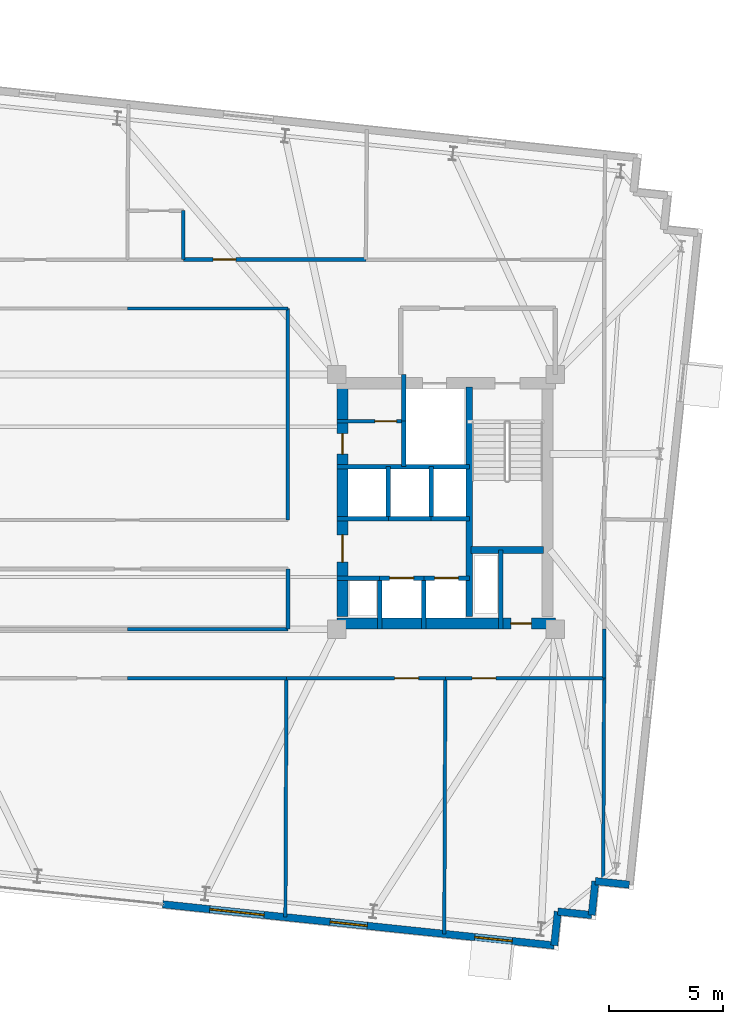
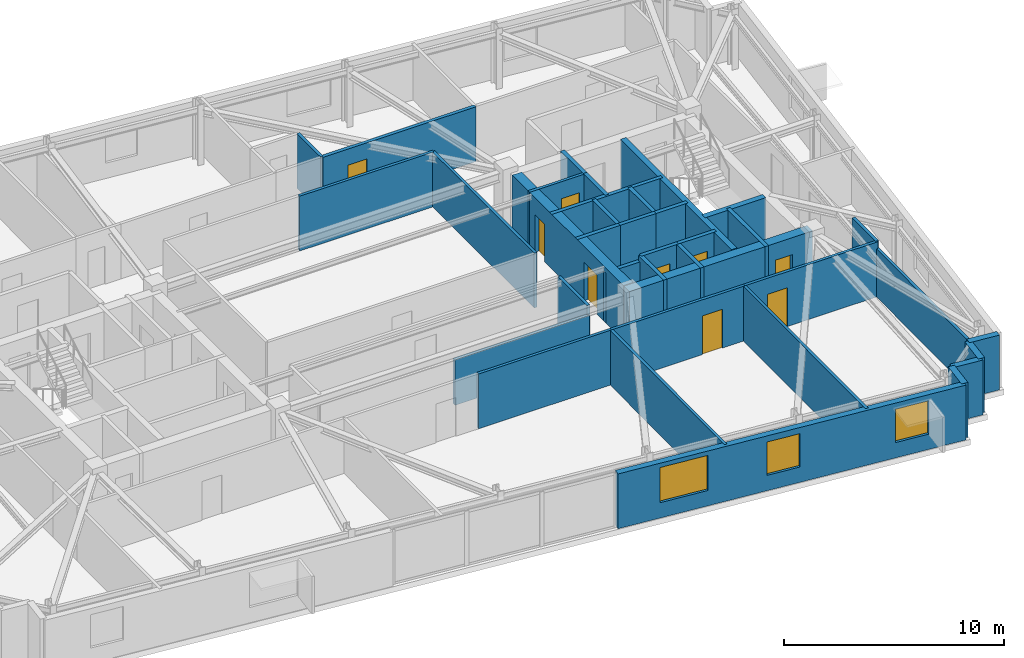
# One storey, part 9 of 13: 37 walls, 9 doors, 3 windows, 12 openings.
"""IFC4 building model written with IfcOpenShell, lengths in metres."""

from ifc_helpers import new_model, si_unit, direction, frame, frame_2d, origin, place, context, subcontext, project, spatial, rectangle, extrude, material, layer, layer_set, type_object, element, fill, save


model = new_model("IFC4")

# Units and contexts
model_context = context("Model", 3, precision=1e-05, world=origin(), true_north=direction((0.0, 1.0)))
body_context = subcontext(model_context, "Body", "Model", "MODEL_VIEW")
ifc_project = project(units=[si_unit("LENGTHUNIT", "METRE"), si_unit("AREAUNIT", "SQUARE_METRE"), si_unit("VOLUMEUNIT", "CUBIC_METRE"), si_unit("PLANEANGLEUNIT", "RADIAN"), si_unit("MASSUNIT", "GRAM", prefix="KILO")], contexts=[model_context])

# Site, building, storey
site_placement = place(None, origin())
site = spatial("IfcSite", under=ifc_project, at=site_placement, CompositionType="ELEMENT")
building_placement = place(site_placement, origin())
building = spatial("IfcBuilding", under=site, at=building_placement, Name="Qobustan Lattice House", CompositionType="ELEMENT")
storey_placement = place(building_placement, frame((0.0, 0.0, 196.39990234375)))
storey = spatial("IfcBuildingStorey", under=building, at=storey_placement, Name="L55", CompositionType="ELEMENT", Elevation=196.39990234375)

# Wall, opening, door
ifc_material_1 = material(Name="Concrete C50/60", Category="concrete")
ifc_layer_1 = layer(ifc_material_1, 0.5)
ifc_layer_set_1 = layer_set([ifc_layer_1], Name="Concrete C50/60")
wall_type_1 = type_object("IfcWallType", Name="WAL-CORE-500", PredefinedType="SHEAR", material=ifc_layer_set_1)
wall_1_placement = place(storey_placement, frame((9.199951171875, -5.35009765625, 0.0), z_axis=(0.0, 0.0, 1.0), x_axis=(1.0, 0.0, 0.0)))
wall_1 = element("IfcWall", 1, at=wall_1_placement, inside=storey, type_object=wall_type_1, Name="L55 split-core shear wall CE-S", PredefinedType="SHEAR", context=body_context, shape_type="SweptSolid", body=[
    extrude(rectangle(XDim=9.60009765625, YDim=0.5, at=frame_2d((4.800048828125, 0.0))), origin(), (0.0, 0.0, 1.0), 3.0400390625),
])
opening_1_placement = place(wall_1_placement, frame((7.64990234375, 0.0, 0.0)))
opening_1 = element("IfcOpeningElement", 2, at=opening_1_placement, cuts=wall_1, Name="Opening RD-01", PredefinedType="OPENING", context=body_context, shape_type="SweptSolid", body=[
    extrude(rectangle(XDim=0.89990234375, YDim=2.10009765625, at=frame_2d((0.449951171875, 1.050048828125))), frame((0.0, 0.260009765625, 0.0), z_axis=(0.0, -1.0, 0.0), x_axis=(1.0, 0.0, 0.0)), (0.0, 0.0, 1.0), 0.52001953125),
])
ifc_material_2 = material(Name="Persian walnut timber and steel frame door", Category="steel")
door_type_1 = type_object("IfcDoorType", Name="DOR-RISER-FD-900x2100", OperationType="NOTDEFINED", PredefinedType="DOOR", material=ifc_material_2)
door_1_placement = place(opening_1_placement, origin())
door_1 = element("IfcDoor", 3, at=door_1_placement, inside=storey, type_object=door_type_1, Name="L55 core service riser access door E", OperationType="SINGLE_SWING_RIGHT", OverallHeight=2.10009765625, OverallWidth=0.89990234375, PredefinedType="DOOR", context=body_context, shape_type="SweptSolid", body=[
    extrude(rectangle(XDim=0.89990234375, YDim=2.10009765625, at=frame_2d((0.449951171875, 1.050048828125))), frame((0.0, 0.02490234375, 0.0), z_axis=(0.0, -1.0, 0.0), x_axis=(1.0, 0.0, 0.0)), (0.0, 0.0, 1.0), 0.050048828125),
])
fill(opening_1, door_1)

# Wall, openings, doors
wall_2_placement = place(storey_placement, frame((9.449951171875, -5.050048828125, 0.0), z_axis=(0.0, 0.0, 1.0), x_axis=(0.0, 1.0, 0.0)))
wall_2 = element("IfcWall", 4, at=wall_2_placement, inside=storey, type_object=wall_type_1, Name="L55 split-core shear wall CE-W", PredefinedType="SHEAR", context=body_context, shape_type="SweptSolid", body=[
    extrude(rectangle(XDim=10.10009765625, YDim=0.5, at=frame_2d((5.050048828125, 0.0))), origin(), (0.0, 0.0, 1.0), 3.0400390625),
])
opening_2_placement = place(wall_2_placement, frame((7.14990234375, 0.0, 0.0)))
opening_2 = element("IfcOpeningElement", 5, at=opening_2_placement, cuts=wall_2, Name="Opening RD-01", PredefinedType="OPENING", context=body_context, shape_type="SweptSolid", body=[
    extrude(rectangle(XDim=0.89990234375, YDim=2.10009765625, at=frame_2d((0.449951171875, 1.050048828125))), frame((0.0, 0.260009765625, 0.0), z_axis=(0.0, -1.0, 0.0), x_axis=(1.0, 0.0, 0.0)), (0.0, 0.0, 1.0), 0.52001953125),
])
opening_3_placement = place(wall_2_placement, frame((2.39990234375, 0.0, 0.0)))
opening_3 = element("IfcOpeningElement", 6, at=opening_3_placement, cuts=wall_2, Name="Opening FD-01", PredefinedType="OPENING", context=body_context, shape_type="SweptSolid", body=[
    extrude(rectangle(XDim=1.199951171875, YDim=2.14990234375, at=frame_2d((0.60009765625, 1.074951171875))), frame((0.0, 0.260009765625, 0.0), z_axis=(0.0, -1.0, 0.0), x_axis=(1.0, 0.0, 0.0)), (0.0, 0.0, 1.0), 0.52001953125),
])
ifc_material_3 = material(Name="Persian walnut timber and steel frame door", Category="steel")
door_type_2 = type_object("IfcDoorType", Name="DOR-LOBBY-FD-1200x2150", OperationType="NOTDEFINED", PredefinedType="DOOR", material=ifc_material_3)
door_2_placement = place(opening_3_placement, origin())
door_2 = element("IfcDoor", 7, at=door_2_placement, inside=storey, type_object=door_type_2, Name="L55 East passenger lift lobby fire door", OperationType="SINGLE_SWING_RIGHT", OverallHeight=2.14990234375, OverallWidth=1.199951171875, PredefinedType="DOOR", context=body_context, shape_type="SweptSolid", body=[
    extrude(rectangle(XDim=1.199951171875, YDim=2.14990234375, at=frame_2d((0.60009765625, 1.074951171875))), frame((0.0, 0.02490234375, 0.0), z_axis=(0.0, -1.0, 0.0), x_axis=(1.0, 0.0, 0.0)), (0.0, 0.0, 1.0), 0.050048828125),
])
fill(opening_3, door_2)
door_3_placement = place(opening_2_placement, origin())
door_3 = element("IfcDoor", 8, at=door_3_placement, inside=storey, type_object=door_type_1, Name="L55 Housekeeping utility foyer fire door", OperationType="SINGLE_SWING_LEFT", OverallHeight=2.10009765625, OverallWidth=0.89990234375, PredefinedType="DOOR", context=body_context, shape_type="SweptSolid", body=[
    extrude(rectangle(XDim=0.89990234375, YDim=2.10009765625, at=frame_2d((0.449951171875, 1.050048828125))), frame((0.0, 0.02490234375, 0.0), z_axis=(0.0, -1.0, 0.0), x_axis=(1.0, 0.0, 0.0)), (0.0, 0.0, 1.0), 0.050048828125),
])
fill(opening_2, door_3)

# Walls
ifc_material_4 = material(Name="Concrete C50/60", Category="concrete")
ifc_layer_2 = layer(ifc_material_4, 0.280029296875)
ifc_layer_set_2 = layer_set([ifc_layer_2], Name="Concrete C50/60")
wall_type_2 = type_object("IfcWallType", Name="WAL-CORE-SPINE-280", PredefinedType="SHEAR", material=ifc_layer_set_2)
wall_3_placement = place(storey_placement, frame((15.02001953125, -5.050048828125, 0.0), z_axis=(0.0, 0.0, 1.0), x_axis=(0.0, 1.0, 0.0)))
element("IfcWall", 9, at=wall_3_placement, inside=storey, type_object=wall_type_2, Name="L55 split-core shear wall CE-M", PredefinedType="SHEAR", context=body_context, shape_type="SweptSolid", body=[
    extrude(rectangle(XDim=10.10009765625, YDim=0.300048828125, at=frame_2d((5.050048828125, 0.0))), origin(), (0.0, 0.0, 1.0), 3.0400390625),
])
wall_4_placement = place(storey_placement, frame((15.10009765625, -2.110107421875, 0.0), z_axis=(0.0, 0.0, 1.0), x_axis=(1.0, 0.0, 0.0)))
element("IfcWall", 10, at=wall_4_placement, inside=storey, type_object=wall_type_2, Name="L55 split-core shear wall CE-ST", PredefinedType="SHEAR", context=body_context, shape_type="SweptSolid", body=[
    extrude(rectangle(XDim=3.179931640625, YDim=0.300048828125, at=frame_2d((1.58984375, 0.0))), origin(), (0.0, 0.0, 1.0), 3.0400390625),
])
ifc_material_5 = material(Name="Precast concrete C40/50", Category="concrete")
ifc_layer_3 = layer(ifc_material_5, 0.320068359375)
ifc_layer_set_3 = layer_set([ifc_layer_3], Name="Precast concrete C40/50")
wall_type_3 = type_object("IfcWallType", Name="WAL-EXT-STONE-320", PredefinedType="SOLIDWALL", material=ifc_layer_set_3)
wall_5_placement = place(storey_placement, frame((22.052978515625, -16.828369140625, 0.0), z_axis=(0.0, 0.0, 1.0), x_axis=(-0.994526834051, 0.104481464157, 0.0)))
element("IfcWall", 11, at=wall_5_placement, inside=storey, type_object=wall_type_3, Name="L55 exterior limestone-clad wall 16", PredefinedType="SOLIDWALL", context=body_context, shape_type="SweptSolid", body=[
    extrude(rectangle(XDim=1.500244140625, YDim=0.320068359375, at=frame_2d((0.75, 0.0))), origin(), (0.0, 0.0, 1.0), 3.0400390625),
])
for number, where, z_axis, x_axis, name in (
    (12, (20.56103515625, -16.671630859375, 0.0), (0.0, 0.0, 1.0), (-0.104498377516, -0.994525057048, 0.0), "L55 exterior limestone-clad wall 17"),
    (13, (20.404296875, -18.163330078125, 0.0), (0.0, 0.0, 1.0), (-0.994525057048, 0.104498377516, 0.0), "L55 exterior limestone-clad wall 18"),
    (14, (18.91259765625, -18.006591796875, 0.0), (0.0, 0.0, 1.0), (-0.104498377516, -0.994525057048, 0.0), "L55 exterior limestone-clad wall 19"),
):
    element("IfcWall", number, at=place(storey_placement, frame(where, z_axis=z_axis, x_axis=x_axis)), inside=storey, type_object=wall_type_3, Name=name, PredefinedType="SOLIDWALL", context=body_context, shape_type="SweptSolid", body=[
        extrude(rectangle(XDim=1.5, YDim=0.320068359375, at=frame_2d((0.75, 0.0))), origin(), (0.0, 0.0, 1.0), 3.0400390625),
    ])

# Wall, openings, windows
wall_6_placement = place(storey_placement, frame((18.755859375, -19.498291015625, 0.0), z_axis=(0.0, 0.0, 1.0), x_axis=(-0.994523378108, 0.104514354977, 0.0)))
wall_6 = element("IfcWall", 15, at=wall_6_placement, inside=storey, type_object=wall_type_3, Name="L55 iwan flank stone wall A", PredefinedType="SOLIDWALL", context=body_context, shape_type="SweptSolid", body=[
    extrude(rectangle(XDim=17.300048828125, YDim=0.320068359375, at=frame_2d((8.64990234375, 0.0))), origin(), (0.0, 0.0, 1.0), 3.0400390625),
])
opening_4_placement = place(wall_6_placement, frame((1.858154296875, 0.0, 0.85009765625)))
opening_4 = element("IfcOpeningElement", 16, at=opening_4_placement, cuts=wall_6, Name="Opening WN-09", PredefinedType="OPENING", context=body_context, shape_type="SweptSolid", body=[
    extrude(rectangle(XDim=1.64990234375, YDim=1.85009765625, at=frame_2d((0.824951171875, 0.925048828125))), frame((0.0, 0.169921875, 0.0), z_axis=(0.0, -1.0, 0.0), x_axis=(1.0, 0.0, 0.0)), (0.0, 0.0, 1.0), 0.340087890625),
])
opening_5_placement = place(wall_6_placement, frame((8.259521484375, 0.0, 0.85009765625)))
opening_5 = element("IfcOpeningElement", 17, at=opening_5_placement, cuts=wall_6, Name="Opening WN-09", PredefinedType="OPENING", context=body_context, shape_type="SweptSolid", body=[
    extrude(rectangle(XDim=1.64990234375, YDim=1.85009765625, at=frame_2d((0.824951171875, 0.925048828125))), frame((0.0, 0.169921875, 0.0), z_axis=(0.0, -1.0, 0.0), x_axis=(1.0, 0.0, 0.0)), (0.0, 0.0, 1.0), 0.340087890625),
])
opening_6_placement = place(wall_6_placement, frame((12.825439453125, 0.0, 0.85009765625)))
opening_6 = element("IfcOpeningElement", 18, at=opening_6_placement, cuts=wall_6, Name="Opening WN-10", PredefinedType="OPENING", context=body_context, shape_type="SweptSolid", body=[
    extrude(rectangle(XDim=2.39990234375, YDim=1.949951171875, at=frame_2d((1.199951171875, 0.97509765625))), frame((0.0, 0.169921875, 0.0), z_axis=(0.0, -1.0, 0.0), x_axis=(1.0, 0.0, 0.0)), (0.0, 0.0, 1.0), 0.340087890625),
])
ifc_material_6 = material(Name="Double-glazed low-E aluminium window", Category="aluminium")
window_type_1 = type_object("IfcWindowType", Name="WIN-LNG-2400x1950", PartitioningType="SINGLE_PANEL", PredefinedType="WINDOW", material=ifc_material_6)
window_1_placement = place(opening_6_placement, origin())
window_1 = element("IfcWindow", 19, at=window_1_placement, inside=storey, type_object=window_type_1, Name="L55 Walnut iwan sky lounge S2 window", OverallHeight=1.949951171875, OverallWidth=2.39990234375, PartitioningType="SINGLE_PANEL", PredefinedType="WINDOW", context=body_context, shape_type="SweptSolid", body=[
    extrude(rectangle(XDim=2.39990234375, YDim=1.949951171875, at=frame_2d((1.199951171875, 0.97509765625))), frame((0.0, 0.030029296875, 0.0), z_axis=(0.0, -1.0, 0.0), x_axis=(1.0, 0.0, 0.0)), (0.0, 0.0, 1.0), 0.06005859375),
])
fill(opening_6, window_1)
ifc_material_7 = material(Name="Double-glazed low-E aluminium window", Category="aluminium")
window_type_2 = type_object("IfcWindowType", Name="WIN-STU-1650x1850", PartitioningType="SINGLE_PANEL", PredefinedType="WINDOW", material=ifc_material_7)
window_2_placement = place(opening_4_placement, origin())
window_2 = element("IfcWindow", 20, at=window_2_placement, inside=storey, type_object=window_type_2, Name="L55 Academic seminar room window", OverallHeight=1.85009765625, OverallWidth=1.64990234375, PartitioningType="SINGLE_PANEL", PredefinedType="WINDOW", context=body_context, shape_type="SweptSolid", body=[
    extrude(rectangle(XDim=1.64990234375, YDim=1.85009765625, at=frame_2d((0.824951171875, 0.925048828125))), frame((0.0, 0.030029296875, 0.0), z_axis=(0.0, -1.0, 0.0), x_axis=(1.0, 0.0, 0.0)), (0.0, 0.0, 1.0), 0.06005859375),
])
fill(opening_4, window_2)
window_3_placement = place(opening_5_placement, origin())
window_3 = element("IfcWindow", 21, at=window_3_placement, inside=storey, type_object=window_type_2, Name="L55 Group study room window", OverallHeight=1.85009765625, OverallWidth=1.64990234375, PartitioningType="SINGLE_PANEL", PredefinedType="WINDOW", context=body_context, shape_type="SweptSolid", body=[
    extrude(rectangle(XDim=1.64990234375, YDim=1.85009765625, at=frame_2d((0.824951171875, 0.925048828125))), frame((0.0, 0.030029296875, 0.0), z_axis=(0.0, -1.0, 0.0), x_axis=(1.0, 0.0, 0.0)), (0.0, 0.0, 1.0), 0.06005859375),
])
fill(opening_5, window_3)

# Wall, opening, door
ifc_material_8 = material(Name="Gypsum fireboard acoustic partition", Category="gypsum")
ifc_layer_4 = layer(ifc_material_8, 0.179931640625)
ifc_layer_set_4 = layer_set([ifc_layer_4], Name="Gypsum fireboard acoustic partition")
wall_type_4 = type_object("IfcWallType", Name="WAL-FIRE-180", PredefinedType="PARTITIONING", material=ifc_layer_set_4)
wall_7_placement = place(storey_placement, frame((2.449951171875, 10.64990234375, 0.0), z_axis=(0.0, 0.0, 1.0), x_axis=(1.0, 0.0, 0.0)))
wall_7 = element("IfcWall", 22, at=wall_7_placement, inside=storey, type_object=wall_type_4, Name="L55 interior partition 41", PredefinedType="PARTITIONING", context=body_context, shape_type="SweptSolid", body=[
    extrude(rectangle(XDim=8.025146484375, YDim=0.179931640625, at=frame_2d((4.0126953125, 0.0))), origin(), (0.0, 0.0, 1.0), 3.0400390625),
])
opening_7_placement = place(wall_7_placement, frame((1.31298828125, 0.0, 0.0)))
opening_7 = element("IfcOpeningElement", 23, at=opening_7_placement, cuts=wall_7, Name="Opening FD-02", PredefinedType="OPENING", context=body_context, shape_type="SweptSolid", body=[
    extrude(rectangle(XDim=1.0, YDim=2.14990234375, at=frame_2d((0.5, 1.074951171875))), frame((0.0, 0.099853515625, 0.0), z_axis=(0.0, -1.0, 0.0), x_axis=(1.0, 0.0, 0.0)), (0.0, 0.0, 1.0), 0.199951171875),
])
ifc_material_9 = material(Name="Persian walnut timber and steel frame door", Category="steel")
door_type_3 = type_object("IfcDoorType", Name="DOR-UNIT-FD-1000x2150", OperationType="NOTDEFINED", PredefinedType="DOOR", material=ifc_material_9)
door_4_placement = place(opening_7_placement, origin())
door_4 = element("IfcDoor", 24, at=door_4_placement, inside=storey, type_object=door_type_3, Name="L55 North-east floor corridor to Kitchenette and studio apartment L55-N3 door", OperationType="SINGLE_SWING_LEFT", OverallHeight=2.14990234375, OverallWidth=1.0, PredefinedType="DOOR", context=body_context, shape_type="SweptSolid", body=[
    extrude(rectangle(XDim=1.0, YDim=2.14990234375, at=frame_2d((0.5, 1.074951171875))), frame((0.0, 0.02490234375, 0.0), z_axis=(0.0, -1.0, 0.0), x_axis=(1.0, 0.0, 0.0)), (0.0, 0.0, 1.0), 0.050048828125),
])
fill(opening_7, door_4)

ifc_material_10 = material(Name="Acoustic twin-stud gypsum partition", Category="gypsum")
ifc_layer_5 = layer(ifc_material_10, 0.14990234375)
ifc_layer_set_5 = layer_set([ifc_layer_5], Name="Acoustic twin-stud gypsum partition")
wall_type_5 = type_object("IfcWallType", Name="WAL-PART-150", PredefinedType="PARTITIONING", material=ifc_layer_set_5)
wall_8_placement = place(storey_placement, frame((12.14990234375, 3.550048828125, 0.0), z_axis=(0.0, 0.0, 1.0), x_axis=(-1.0, 0.0, 0.0)))
wall_8 = element("IfcWall", 25, at=wall_8_placement, inside=storey, type_object=wall_type_5, Name="L55 interior partition 21", PredefinedType="PARTITIONING", context=body_context, shape_type="SweptSolid", body=[
    extrude(rectangle(XDim=2.949951171875, YDim=0.14990234375, at=frame_2d((1.47509765625, 0.0))), origin(), (0.0, 0.0, 1.0), 3.0400390625),
])
opening_8_placement = place(wall_8_placement, frame((0.324951171875, 0.0, 0.0)))
opening_8 = element("IfcOpeningElement", 26, at=opening_8_placement, cuts=wall_8, Name="Opening ID-01", PredefinedType="OPENING", context=body_context, shape_type="SweptSolid", body=[
    extrude(rectangle(XDim=0.949951171875, YDim=2.10009765625, at=frame_2d((0.47509765625, 1.050048828125))), frame((0.0, 0.0849609375, 0.0), z_axis=(0.0, -1.0, 0.0), x_axis=(1.0, 0.0, 0.0)), (0.0, 0.0, 1.0), 0.169921875),
])
ifc_material_11 = material(Name="Persian walnut timber and steel frame door", Category="steel")
door_type_4 = type_object("IfcDoorType", Name="DOR-ROOM-950x2100", OperationType="NOTDEFINED", PredefinedType="DOOR", material=ifc_material_11)
door_5_placement = place(opening_8_placement, origin())
door_5 = element("IfcDoor", 27, at=door_5_placement, inside=storey, type_object=door_type_4, Name="L55 Housekeeping utility foyer to Cleaner cupboard door", OperationType="SINGLE_SWING_RIGHT", OverallHeight=2.10009765625, OverallWidth=0.949951171875, PredefinedType="DOOR", context=body_context, shape_type="SweptSolid", body=[
    extrude(rectangle(XDim=0.949951171875, YDim=2.10009765625, at=frame_2d((0.47509765625, 1.050048828125))), frame((0.0, 0.02490234375, 0.0), z_axis=(0.0, -1.0, 0.0), x_axis=(1.0, 0.0, 0.0)), (0.0, 0.0, 1.0), 0.050048828125),
])
fill(opening_8, door_5)

# Walls
wall_9_placement = place(storey_placement, frame((7.050048828125, 8.5, 0.0), z_axis=(0.0, 0.0, 1.0), x_axis=(-1.0, 0.0, 0.0)))
element("IfcWall", 28, at=wall_9_placement, inside=storey, type_object=wall_type_5, Name="L55 interior partition 44", PredefinedType="PARTITIONING", context=body_context, shape_type="SweptSolid", body=[
    extrude(rectangle(XDim=7.050048828125, YDim=0.14990234375, at=frame_2d((3.52490234375, 0.0))), origin(), (0.0, 0.0, 1.0), 3.0400390625),
])
wall_10_placement = place(storey_placement, frame((20.949951171875, -5.60009765625, 0.0), z_axis=(0.0, 0.0, 1.0), x_axis=(0.0, -1.0, 0.0)))
element("IfcWall", 29, at=wall_10_placement, inside=storey, type_object=wall_type_5, Name="L55 interior partition 49", PredefinedType="PARTITIONING", context=body_context, shape_type="SweptSolid", body=[
    extrude(rectangle(XDim=2.14990234375, YDim=0.14990234375, at=frame_2d((1.074951171875, 0.0))), origin(), (0.0, 0.0, 1.0), 3.0400390625),
])
wall_11_placement = place(storey_placement, frame((6.98291015625, -7.75, 0.0), z_axis=(0.0, 0.0, 1.0), x_axis=(-1.0, 0.0, 0.0)))
element("IfcWall", 30, at=wall_11_placement, inside=storey, type_object=wall_type_5, Name="L55 interior partition 50", PredefinedType="PARTITIONING", context=body_context, shape_type="SweptSolid", body=[
    extrude(rectangle(XDim=6.98291015625, YDim=0.14990234375, at=frame_2d((3.491455078125, 0.0))), origin(), (0.0, 0.0, 1.0), 3.0400390625),
])

# Wall, opening, door
wall_12_placement = place(storey_placement, frame((13.966552734375, -7.75, 0.0), z_axis=(0.0, 0.0, 1.0), x_axis=(-1.0, 0.0, 0.0)))
wall_12 = element("IfcWall", 31, at=wall_12_placement, inside=storey, type_object=wall_type_5, Name="L55 interior partition 51", PredefinedType="PARTITIONING", context=body_context, shape_type="SweptSolid", body=[
    extrude(rectangle(XDim=6.983642578125, YDim=0.14990234375, at=frame_2d((3.49169921875, 0.0))), origin(), (0.0, 0.0, 1.0), 3.0400390625),
])
opening_9_placement = place(wall_12_placement, frame((1.1767578125, 0.0, 0.0)))
opening_9 = element("IfcOpeningElement", 32, at=opening_9_placement, cuts=wall_12, Name="Opening ID-02", PredefinedType="OPENING", context=body_context, shape_type="SweptSolid", body=[
    extrude(rectangle(XDim=1.050048828125, YDim=2.14990234375, at=frame_2d((0.52490234375, 1.074951171875))), frame((0.0, 0.0849609375, 0.0), z_axis=(0.0, -1.0, 0.0), x_axis=(1.0, 0.0, 0.0)), (0.0, 0.0, 1.0), 0.169921875),
])
ifc_material_12 = material(Name="Persian walnut timber and steel frame door", Category="steel")
door_type_5 = type_object("IfcDoorType", Name="DOR-STUDY-1050x2150", OperationType="NOTDEFINED", PredefinedType="DOOR", material=ifc_material_12)
door_6_placement = place(opening_9_placement, origin())
door_6 = element("IfcDoor", 33, at=door_6_placement, inside=storey, type_object=door_type_5, Name="L55 South-east floor corridor to Group study room door", OperationType="SINGLE_SWING_LEFT", OverallHeight=2.14990234375, OverallWidth=1.050048828125, PredefinedType="DOOR", context=body_context, shape_type="SweptSolid", body=[
    extrude(rectangle(XDim=1.050048828125, YDim=2.14990234375, at=frame_2d((0.52490234375, 1.074951171875))), frame((0.0, 0.02490234375, 0.0), z_axis=(0.0, -1.0, 0.0), x_axis=(1.0, 0.0, 0.0)), (0.0, 0.0, 1.0), 0.050048828125),
])
fill(opening_9, door_6)

wall_13_placement = place(storey_placement, frame((20.949951171875, -7.75, 0.0), z_axis=(0.0, 0.0, 1.0), x_axis=(-1.0, 0.0, 0.0)))
wall_13 = element("IfcWall", 34, at=wall_13_placement, inside=storey, type_object=wall_type_5, Name="L55 interior partition 52", PredefinedType="PARTITIONING", context=body_context, shape_type="SweptSolid", body=[
    extrude(rectangle(XDim=6.9833984375, YDim=0.14990234375, at=frame_2d((3.49169921875, 0.0))), origin(), (0.0, 0.0, 1.0), 3.0400390625),
])
opening_10_placement = place(wall_13_placement, frame((4.7568359375, 0.0, 0.0)))
opening_10 = element("IfcOpeningElement", 35, at=opening_10_placement, cuts=wall_13, Name="Opening ID-02", PredefinedType="OPENING", context=body_context, shape_type="SweptSolid", body=[
    extrude(rectangle(XDim=1.050048828125, YDim=2.14990234375, at=frame_2d((0.52490234375, 1.074951171875))), frame((0.0, 0.0849609375, 0.0), z_axis=(0.0, -1.0, 0.0), x_axis=(1.0, 0.0, 0.0)), (0.0, 0.0, 1.0), 0.169921875),
])
door_7_placement = place(opening_10_placement, origin())
door_7 = element("IfcDoor", 36, at=door_7_placement, inside=storey, type_object=door_type_5, Name="L55 South-east floor corridor to Academic seminar room door", OperationType="SINGLE_SWING_RIGHT", OverallHeight=2.14990234375, OverallWidth=1.050048828125, PredefinedType="DOOR", context=body_context, shape_type="SweptSolid", body=[
    extrude(rectangle(XDim=1.050048828125, YDim=2.14990234375, at=frame_2d((0.52490234375, 1.074951171875))), frame((0.0, 0.02490234375, 0.0), z_axis=(0.0, -1.0, 0.0), x_axis=(1.0, 0.0, 0.0)), (0.0, 0.0, 1.0), 0.050048828125),
])
fill(opening_10, door_7)

# Walls
wall_14_placement = place(storey_placement, frame((7.050048828125, -0.800048828125, 0.0), z_axis=(0.0, 0.0, 1.0), x_axis=(0.0, 1.0, 0.0)))
element("IfcWall", 37, at=wall_14_placement, inside=storey, type_object=wall_type_5, Name="L55 interior partition 62", PredefinedType="PARTITIONING", context=body_context, shape_type="SweptSolid", body=[
    extrude(rectangle(XDim=9.300048828125, YDim=0.14990234375, at=frame_2d((4.64990234375, 0.0))), origin(), (0.0, 0.0, 1.0), 3.0400390625),
])
wall_15_placement = place(storey_placement, frame((20.906005859375, -16.7080078125, 0.0), z_axis=(0.0, 0.0, 1.0), x_axis=(0.004905642486, 0.999987967264, 0.0)))
element("IfcWall", 38, at=wall_15_placement, inside=storey, type_object=wall_type_5, Name="L55 interior partition 68", PredefinedType="PARTITIONING", context=body_context, shape_type="SweptSolid", body=[
    extrude(rectangle(XDim=8.9580078125, YDim=0.14990234375, at=frame_2d((4.47900390625, 0.0))), origin(), (0.0, 0.0, 1.0), 2.6650390625),
])
wall_16_placement = place(storey_placement, frame((6.98291015625, -7.75, 0.0), z_axis=(0.0, 0.0, 1.0), x_axis=(-0.004159465807, -0.999991349385, 0.0)))
element("IfcWall", 39, at=wall_16_placement, inside=storey, type_object=wall_type_5, Name="L55 interior partition 79", PredefinedType="PARTITIONING", context=body_context, shape_type="SweptSolid", body=[
    extrude(rectangle(XDim=10.50634765625, YDim=0.14990234375, at=frame_2d((5.253173828125, 0.0))), origin(), (0.0, 0.0, 1.0), 3.0400390625),
])
wall_17_placement = place(storey_placement, frame((13.966552734375, -7.75, 0.0), z_axis=(0.0, 0.0, 1.0), x_axis=(-0.003909528994, -0.999992357762, 0.0)))
element("IfcWall", 40, at=wall_17_placement, inside=storey, type_object=wall_type_5, Name="L55 interior partition 80", PredefinedType="PARTITIONING", context=body_context, shape_type="SweptSolid", body=[
    extrude(rectangle(XDim=11.240478515625, YDim=0.14990234375, at=frame_2d((5.6201171875, 0.0))), origin(), (0.0, 0.0, 1.0), 3.0400390625),
])
ifc_material_13 = material(Name="High-mass acoustic twin-stud partition", Category="gypsum")
ifc_layer_6 = layer(ifc_material_13, 0.1650390625)
ifc_layer_set_6 = layer_set([ifc_layer_6], Name="High-mass acoustic twin-stud partition")
wall_type_6 = type_object("IfcWallType", Name="WAL-PART-165", PredefinedType="PARTITIONING", material=ifc_layer_set_6)
wall_18_placement = place(storey_placement, frame((0.0, -5.60009765625, 0.0), z_axis=(0.0, 0.0, 1.0), x_axis=(1.0, 0.0, 0.0)))
element("IfcWall", 41, at=wall_18_placement, inside=storey, type_object=wall_type_6, Name="L55 interior partition 53", PredefinedType="PARTITIONING", context=body_context, shape_type="SweptSolid", body=[
    extrude(rectangle(XDim=7.050048828125, YDim=0.1650390625, at=frame_2d((3.52490234375, 0.0))), origin(), (0.0, 0.0, 1.0), 2.525146484375),
])
wall_19_placement = place(storey_placement, frame((7.050048828125, -5.60009765625, 0.0), z_axis=(0.0, 0.0, 1.0), x_axis=(0.0, 1.0, 0.0)))
element("IfcWall", 42, at=wall_19_placement, inside=storey, type_object=wall_type_6, Name="L55 interior partition 63", PredefinedType="PARTITIONING", context=body_context, shape_type="SweptSolid", body=[
    extrude(rectangle(XDim=2.650146484375, YDim=0.1650390625, at=frame_2d((1.3251953125, 0.0))), origin(), (0.0, 0.0, 1.0), 3.0400390625),
])
ifc_material_14 = material(Name="Concrete C40/50", Category="concrete")
ifc_layer_7 = layer(ifc_material_14, 0.199951171875)
ifc_layer_set_7 = layer_set([ifc_layer_7], Name="Concrete C40/50")
wall_type_7 = type_object("IfcWallType", Name="WAL-SHAFT-200", PredefinedType="PARTITIONING", material=ifc_layer_set_7)
wall_20_placement = place(storey_placement, frame((16.39990234375, -2.110107421875, 0.0), z_axis=(0.0, 0.0, 1.0), x_axis=(0.0, -1.0, 0.0)))
element("IfcWall", 43, at=wall_20_placement, inside=storey, type_object=wall_type_7, Name="L55 interior partition 15", PredefinedType="PARTITIONING", context=body_context, shape_type="SweptSolid", body=[
    extrude(rectangle(XDim=3.489990234375, YDim=0.199951171875, at=frame_2d((1.7451171875, 0.0))), origin(), (0.0, 0.0, 1.0), 3.0400390625),
])
wall_21_placement = place(storey_placement, frame((12.14990234375, 3.550048828125, 0.0), z_axis=(0.0, 0.0, 1.0), x_axis=(0.0, -1.0, 0.0)))
element("IfcWall", 44, at=wall_21_placement, inside=storey, type_object=wall_type_7, Name="L55 interior partition 16", PredefinedType="PARTITIONING", context=body_context, shape_type="SweptSolid", body=[
    extrude(rectangle(XDim=2.0, YDim=0.199951171875, at=frame_2d((1.0, 0.0))), origin(), (0.0, 0.0, 1.0), 3.0400390625),
])
wall_22_placement = place(storey_placement, frame((12.14990234375, 5.60009765625, 0.0), z_axis=(0.0, 0.0, 1.0), x_axis=(0.0, -1.0, 0.0)))
element("IfcWall", 45, at=wall_22_placement, inside=storey, type_object=wall_type_7, Name="L55 interior partition 17", PredefinedType="PARTITIONING", context=body_context, shape_type="SweptSolid", body=[
    extrude(rectangle(XDim=2.050048828125, YDim=0.199951171875, at=frame_2d((1.02490234375, 0.0))), origin(), (0.0, 0.0, 1.0), 3.0400390625),
])
wall_23_placement = place(storey_placement, frame((9.199951171875, -3.35009765625, 0.0), z_axis=(0.0, 0.0, 1.0), x_axis=(1.0, 0.0, 0.0)))
element("IfcWall", 46, at=wall_23_placement, inside=storey, type_object=wall_type_7, Name="L55 interior partition 23", PredefinedType="PARTITIONING", context=body_context, shape_type="SweptSolid", body=[
    extrude(rectangle(XDim=1.880126953125, YDim=0.199951171875, at=frame_2d((0.93994140625, 0.0))), origin(), (0.0, 0.0, 1.0), 2.755126953125),
])

# Wall, opening, door
wall_24_placement = place(storey_placement, frame((11.080078125, -3.35009765625, 0.0), z_axis=(0.0, 0.0, 1.0), x_axis=(1.0, 0.0, 0.0)))
wall_24 = element("IfcWall", 47, at=wall_24_placement, inside=storey, type_object=wall_type_7, Name="L55 interior partition 24", PredefinedType="PARTITIONING", context=body_context, shape_type="SweptSolid", body=[
    extrude(rectangle(XDim=1.93994140625, YDim=0.199951171875, at=frame_2d((0.969970703125, 0.0))), origin(), (0.0, 0.0, 1.0), 3.0400390625),
])
opening_11_placement = place(wall_24_placement, frame((0.445068359375, 0.0, 0.0)))
opening_11 = element("IfcOpeningElement", 48, at=opening_11_placement, cuts=wall_24, Name="Opening LD-01", PredefinedType="OPENING", context=body_context, shape_type="SweptSolid", body=[
    extrude(rectangle(XDim=1.050048828125, YDim=2.10009765625, at=frame_2d((0.52490234375, 1.050048828125))), frame((0.0, 0.10986328125, 0.0), z_axis=(0.0, -1.0, 0.0), x_axis=(1.0, 0.0, 0.0)), (0.0, 0.0, 1.0), 0.219970703125),
])
ifc_material_15 = material(Name="Persian walnut timber and steel frame door", Category="steel")
door_type_6 = type_object("IfcDoorType", Name="DOR-LIFT-LD-1050x2100", OperationType="NOTDEFINED", PredefinedType="DOOR", material=ifc_material_15)
door_8_placement = place(opening_11_placement, origin())
door_8 = element("IfcDoor", 49, at=door_8_placement, inside=storey, type_object=door_type_6, Name="L55 lift landing door", OperationType="DOUBLE_DOOR_SLIDING", OverallHeight=2.10009765625, OverallWidth=1.050048828125, PredefinedType="DOOR", context=body_context, shape_type="SweptSolid", body=[
    extrude(rectangle(XDim=1.050048828125, YDim=2.10009765625, at=frame_2d((0.52490234375, 1.050048828125))), frame((0.0, 0.02490234375, 0.0), z_axis=(0.0, -1.0, 0.0), x_axis=(1.0, 0.0, 0.0)), (0.0, 0.0, 1.0), 0.050048828125),
])
fill(opening_11, door_8)

wall_25_placement = place(storey_placement, frame((13.02001953125, -3.35009765625, 0.0), z_axis=(0.0, 0.0, 1.0), x_axis=(1.0, 0.0, 0.0)))
wall_25 = element("IfcWall", 50, at=wall_25_placement, inside=storey, type_object=wall_type_7, Name="L55 interior partition 25", PredefinedType="PARTITIONING", context=body_context, shape_type="SweptSolid", body=[
    extrude(rectangle(XDim=2.0, YDim=0.199951171875, at=frame_2d((1.0, 0.0))), origin(), (0.0, 0.0, 1.0), 3.0400390625),
])
opening_12_placement = place(wall_25_placement, frame((0.47509765625, 0.0, 0.0)))
opening_12 = element("IfcOpeningElement", 51, at=opening_12_placement, cuts=wall_25, Name="Opening LD-01", PredefinedType="OPENING", context=body_context, shape_type="SweptSolid", body=[
    extrude(rectangle(XDim=1.050048828125, YDim=2.10009765625, at=frame_2d((0.52490234375, 1.050048828125))), frame((0.0, 0.10986328125, 0.0), z_axis=(0.0, -1.0, 0.0), x_axis=(1.0, 0.0, 0.0)), (0.0, 0.0, 1.0), 0.219970703125),
])
door_9_placement = place(opening_12_placement, origin())
door_9 = element("IfcDoor", 52, at=door_9_placement, inside=storey, type_object=door_type_6, Name="L55 lift landing door", OperationType="DOUBLE_DOOR_SLIDING", OverallHeight=2.10009765625, OverallWidth=1.050048828125, PredefinedType="DOOR", context=body_context, shape_type="SweptSolid", body=[
    extrude(rectangle(XDim=1.050048828125, YDim=2.10009765625, at=frame_2d((0.52490234375, 1.050048828125))), frame((0.0, 0.02490234375, 0.0), z_axis=(0.0, -1.0, 0.0), x_axis=(1.0, 0.0, 0.0)), (0.0, 0.0, 1.0), 0.050048828125),
])
fill(opening_12, door_9)

# Walls
wall_26_placement = place(storey_placement, frame((11.4599609375, -0.75, 0.0), z_axis=(0.0, 0.0, 1.0), x_axis=(-1.0, 0.0, 0.0)))
element("IfcWall", 53, at=wall_26_placement, inside=storey, type_object=wall_type_7, Name="L55 interior partition 26", PredefinedType="PARTITIONING", context=body_context, shape_type="SweptSolid", body=[
    extrude(rectangle(XDim=2.260009765625, YDim=0.199951171875, at=frame_2d((1.1298828125, 0.0))), origin(), (0.0, 0.0, 1.0), 3.0400390625),
])
wall_27_placement = place(storey_placement, frame((13.340087890625, -0.75, 0.0), z_axis=(0.0, 0.0, 1.0), x_axis=(-1.0, 0.0, 0.0)))
element("IfcWall", 54, at=wall_27_placement, inside=storey, type_object=wall_type_7, Name="L55 interior partition 27", PredefinedType="PARTITIONING", context=body_context, shape_type="SweptSolid", body=[
    extrude(rectangle(XDim=1.880126953125, YDim=0.199951171875, at=frame_2d((0.93994140625, 0.0))), origin(), (0.0, 0.0, 1.0), 3.0400390625),
])
wall_28_placement = place(storey_placement, frame((15.02001953125, -0.75, 0.0), z_axis=(0.0, 0.0, 1.0), x_axis=(-1.0, 0.0, 0.0)))
element("IfcWall", 55, at=wall_28_placement, inside=storey, type_object=wall_type_7, Name="L55 interior partition 28", PredefinedType="PARTITIONING", context=body_context, shape_type="SweptSolid", body=[
    extrude(rectangle(XDim=1.679931640625, YDim=0.199951171875, at=frame_2d((0.83984375, 0.0))), origin(), (0.0, 0.0, 1.0), 3.0400390625),
])
for number, where, z_axis, x_axis, name in (
    (56, (11.080078125, -5.60009765625, 0.0), (0.0, 0.0, 1.0), (0.0, 1.0, 0.0), "L55 interior partition 30"),
    (57, (13.02001953125, -5.60009765625, 0.0), (0.0, 0.0, 1.0), (0.0, 1.0, 0.0), "L55 interior partition 31"),
):
    element("IfcWall", number, at=place(storey_placement, frame(where, z_axis=z_axis, x_axis=x_axis)), inside=storey, type_object=wall_type_7, Name=name, PredefinedType="PARTITIONING", context=body_context, shape_type="SweptSolid", body=[
        extrude(rectangle(XDim=2.25, YDim=0.199951171875, at=frame_2d((1.125, 0.0))), origin(), (0.0, 0.0, 1.0), 3.0400390625),
    ])
for number, where, z_axis, x_axis, name in (
    (58, (11.4599609375, -0.75, 0.0), (0.0, 0.0, 1.0), (0.0, 1.0, 0.0), "L55 interior partition 32"),
    (59, (13.340087890625, -0.75, 0.0), (0.0, 0.0, 1.0), (0.0, 1.0, 0.0), "L55 interior partition 33"),
):
    element("IfcWall", number, at=place(storey_placement, frame(where, z_axis=z_axis, x_axis=x_axis)), inside=storey, type_object=wall_type_7, Name=name, PredefinedType="PARTITIONING", context=body_context, shape_type="SweptSolid", body=[
        extrude(rectangle(XDim=2.300048828125, YDim=0.199951171875, at=frame_2d((1.14990234375, 0.0))), origin(), (0.0, 0.0, 1.0), 3.0400390625),
    ])
wall_29_placement = place(storey_placement, frame((9.199951171875, 1.550048828125, 0.0), z_axis=(0.0, 0.0, 1.0), x_axis=(1.0, 0.0, 0.0)))
element("IfcWall", 60, at=wall_29_placement, inside=storey, type_object=wall_type_7, Name="L55 interior partition 82", PredefinedType="PARTITIONING", context=body_context, shape_type="SweptSolid", body=[
    extrude(rectangle(XDim=5.820068359375, YDim=0.199951171875, at=frame_2d((2.91015625, 0.0))), origin(), (0.0, 0.0, 1.0), 3.0400390625),
])
ifc_material_16 = material(Name="Moisture-resistant acoustic plumbing wall", Category="gypsum")
ifc_layer_8 = layer(ifc_material_16, 0.14990234375)
ifc_layer_set_8 = layer_set([ifc_layer_8], Name="Moisture-resistant acoustic plumbing wall")
wall_type_8 = type_object("IfcWallType", Name="WAL-WET-150", PredefinedType="PLUMBINGWALL", material=ifc_layer_set_8)
wall_30_placement = place(storey_placement, frame((2.449951171875, 10.64990234375, 0.0), z_axis=(0.0, 0.0, 1.0), x_axis=(0.0, 1.0, 0.0)))
element("IfcWall", 61, at=wall_30_placement, inside=storey, type_object=wall_type_8, Name="L55 interior partition 76", PredefinedType="PLUMBINGWALL", context=body_context, shape_type="SweptSolid", body=[
    extrude(rectangle(XDim=2.150146484375, YDim=0.14990234375, at=frame_2d((1.0751953125, 0.0))), origin(), (0.0, 0.0, 1.0), 3.0400390625),
])

save(model, "model.ifc")
